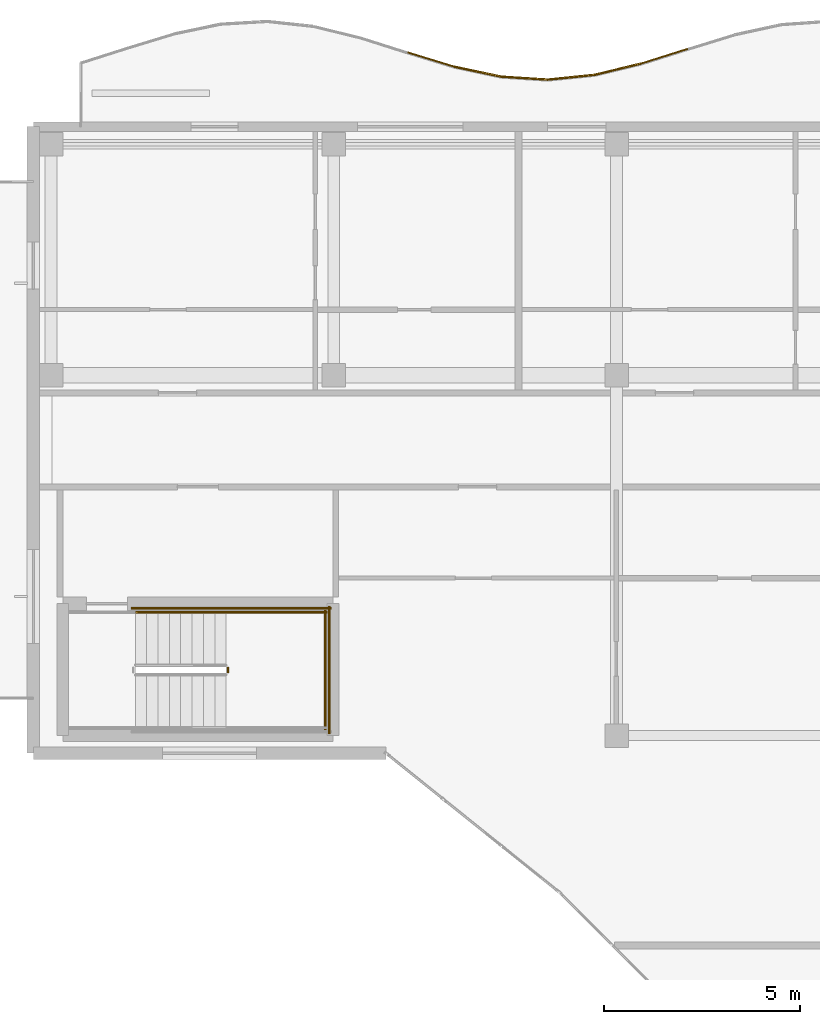
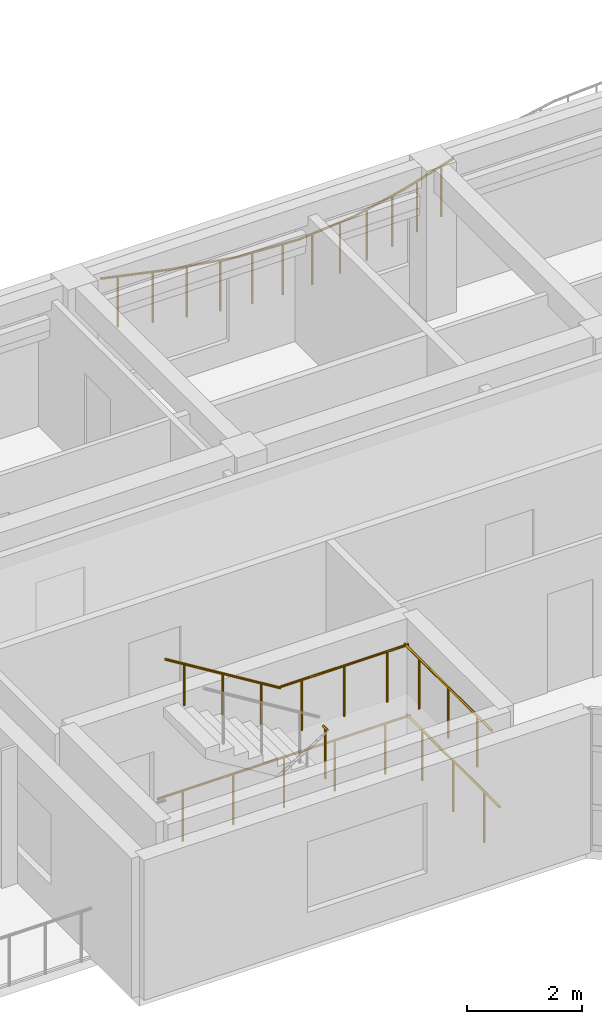
# One storey, part 69 of 71: 12 railings.
"""IFC4 building model written with IfcOpenShell, lengths in metres."""

from ifc_helpers import new_model, si_unit, direction, frame, origin, origin_2d, place, context, subcontext, project, spatial, circle, extrude, material, type_object, element, save


model = new_model("IFC4")

# Units and contexts
model_context = context("Model", 3, precision=1e-05, world=origin(), true_north=direction((0.0, 1.0)))
body_context = subcontext(model_context, "Body", "Model", "MODEL_VIEW")
ifc_project = project(units=[si_unit("LENGTHUNIT", "METRE"), si_unit("AREAUNIT", "SQUARE_METRE"), si_unit("VOLUMEUNIT", "CUBIC_METRE"), si_unit("PLANEANGLEUNIT", "RADIAN"), si_unit("MASSUNIT", "GRAM", prefix="KILO")], contexts=[model_context])

# Site, building, storey
site_placement = place(None, origin())
site = spatial("IfcSite", under=ifc_project, at=site_placement, CompositionType="ELEMENT")
building_placement = place(site_placement, origin())
building = spatial("IfcBuilding", under=site, at=building_placement, Name="Keldmere Railside Commons", CompositionType="ELEMENT")
storey_placement = place(building_placement, frame((0.0, 0.0, 20.159912109375)))
storey = spatial("IfcBuildingStorey", under=building, at=storey_placement, Name="L06", CompositionType="ELEMENT", Elevation=20.159912109375)

# Railings
ifc_material = material(Name="Steel F-24 (S235)", Category="steel")
railing_type_1 = type_object("IfcRailingType", Name="Balcony & Terrace Steel Balustrade 1100", PredefinedType="BALUSTRADE", material=ifc_material)
railing_1_placement = place(storey_placement, frame((156.5517578125, 117.89794921875, 0.0)))
element("IfcRailing", 1, at=railing_1_placement, inside=storey, type_object=railing_type_1, Name="GR-1 GRD-L06-3829", PredefinedType="BALUSTRADE", context=body_context, shape_type="SweptSolid", body=[
    extrude(circle(Radius=0.02392578125, at=origin_2d()), frame((0.0, 0.0, 1.076171875), z_axis=(0.956201073144, -0.292710621122, 0.0), x_axis=(0.292710621122, 0.956201073144, 0.0)), (0.0, 0.0, 1.0), 1.247802734375),
    extrude(circle(Radius=0.02099609375, at=origin_2d()), frame((0.29833984375, -0.09130859375, 0.0)), (0.0, 0.0, 1.0), 1.048095703125),
    extrude(circle(Radius=0.02099609375, at=origin_2d()), frame((0.894775390625, -0.27392578125, 0.0)), (0.0, 0.0, 1.0), 1.048095703125),
])
railing_2_placement = place(storey_placement, frame((157.744873046875, 117.53271484375, 0.0)))
element("IfcRailing", 2, at=railing_2_placement, inside=storey, type_object=railing_type_1, Name="GR-1 GRD-L06-3830", PredefinedType="BALUSTRADE", context=body_context, shape_type="SweptSolid", body=[
    extrude(circle(Radius=0.02392578125, at=origin_2d()), frame((0.0, 0.0, 1.076171875), z_axis=(0.977974866107, -0.208722689861, 0.0), x_axis=(0.208722689861, 0.977974866107, 0.0)), (0.0, 0.0, 1.0), 1.219970703125),
    extrude(circle(Radius=0.02099609375, at=origin_2d()), frame((0.29833984375, -0.063720703125, 0.0)), (0.0, 0.0, 1.0), 1.048095703125),
    extrude(circle(Radius=0.02099609375, at=origin_2d()), frame((0.894775390625, -0.19091796875, 0.0)), (0.0, 0.0, 1.0), 1.048095703125),
])
railing_3_placement = place(storey_placement, frame((158.93798828125, 117.278076171875, 0.0)))
element("IfcRailing", 3, at=railing_3_placement, inside=storey, type_object=railing_type_1, Name="GR-1 GRD-L06-3831", PredefinedType="BALUSTRADE", context=body_context, shape_type="SweptSolid", body=[
    extrude(circle(Radius=0.02392578125, at=origin_2d()), frame((0.0, 0.0, 1.076171875), z_axis=(0.997942203253, -0.064119879644, 0.0), x_axis=(0.064119879644, 0.997942203253, 0.0)), (0.0, 0.0, 1.0), 1.195556640625),
    extrude(circle(Radius=0.02099609375, at=origin_2d()), frame((0.29833984375, -0.01904296875, 0.0)), (0.0, 0.0, 1.0), 1.048095703125),
    extrude(circle(Radius=0.02099609375, at=origin_2d()), frame((0.894775390625, -0.0576171875, 0.0)), (0.0, 0.0, 1.0), 1.048095703125),
])
railing_4_placement = place(storey_placement, frame((160.131103515625, 117.201416015625, 0.0)))
element("IfcRailing", 4, at=railing_4_placement, inside=storey, type_object=railing_type_1, Name="GR-1 GRD-L06-3832", PredefinedType="BALUSTRADE", context=body_context, shape_type="SweptSolid", body=[
    extrude(circle(Radius=0.02392578125, at=origin_2d()), frame((0.0, 0.0, 1.076171875), z_axis=(0.994847978743, 0.101378001517, 0.0), x_axis=(-0.101378001517, 0.994847978743, 0.0)), (0.0, 0.0, 1.0), 1.19921875),
    extrude(circle(Radius=0.02099609375, at=origin_2d()), frame((0.29833984375, 0.0302734375, 0.0)), (0.0, 0.0, 1.0), 1.048095703125),
    extrude(circle(Radius=0.02099609375, at=origin_2d()), frame((0.894775390625, 0.09130859375, 0.0)), (0.0, 0.0, 1.0), 1.048095703125),
])
railing_5_placement = place(storey_placement, frame((161.32421875, 117.322998046875, 0.0)))
element("IfcRailing", 5, at=railing_5_placement, inside=storey, type_object=railing_type_1, Name="GR-1 GRD-L06-3833", PredefinedType="BALUSTRADE", context=body_context, shape_type="SweptSolid", body=[
    extrude(circle(Radius=0.02392578125, at=origin_2d()), frame((0.0, 0.0, 1.076171875), z_axis=(0.972099419012, 0.234569221247, 0.0), x_axis=(-0.234569221247, 0.972099419012, 0.0)), (0.0, 0.0, 1.0), 1.22705078125),
    extrude(circle(Radius=0.02099609375, at=origin_2d()), frame((0.29833984375, 0.072021484375, 0.0)), (0.0, 0.0, 1.0), 1.048095703125),
    extrude(circle(Radius=0.02099609375, at=origin_2d()), frame((0.89453125, 0.2158203125, 0.0)), (0.0, 0.0, 1.0), 1.048095703125),
])
railing_6_placement = place(storey_placement, frame((162.51708984375, 117.61083984375, 0.0)))
element("IfcRailing", 6, at=railing_6_placement, inside=storey, type_object=railing_type_1, Name="GR-1 GRD-L06-3834", PredefinedType="BALUSTRADE", context=body_context, shape_type="SweptSolid", body=[
    extrude(circle(Radius=0.02392578125, at=origin_2d()), frame((0.0, 0.0, 1.076171875), z_axis=(0.953429217506, 0.301616854975, 0.0), x_axis=(-0.301616854975, 0.953429217506, 0.0)), (0.0, 0.0, 1.0), 1.25146484375),
    extrude(circle(Radius=0.02099609375, at=origin_2d()), frame((0.29833984375, 0.09423828125, 0.0)), (0.0, 0.0, 1.0), 1.048095703125),
    extrude(circle(Radius=0.02099609375, at=origin_2d()), frame((0.894775390625, 0.283203125, 0.0)), (0.0, 0.0, 1.0), 1.048095703125),
])
railing_type_2 = type_object("IfcRailingType", Name="Stair Well Steel Guardrail 1100", PredefinedType="BALUSTRADE", material=ifc_material)
railing_7_placement = place(storey_placement, frame((151.969970703125, 102.050048828125, 1.60009765625)))
element("IfcRailing", 7, at=railing_7_placement, inside=storey, type_object=railing_type_2, Name="L06 ST-A2 stair guard 2", PredefinedType="BALUSTRADE", context=body_context, shape_type="SweptSolid", body=[
    extrude(circle(Radius=0.02392578125, at=origin_2d()), frame((0.0, 0.0, 1.076171875), z_axis=(0.0, 1.0, 0.0), x_axis=(-1.0, 0.0, 0.0)), (0.0, 0.0, 1.0), 0.14990234375),
    extrude(circle(Radius=0.02099609375, at=origin_2d()), frame((0.0, 0.074951171875, 0.0)), (0.0, 0.0, 1.0), 1.048095703125),
])
railing_8_placement = place(storey_placement, frame((151.919921875, 103.60009765625, 1.60009765625)))
element("IfcRailing", 8, at=railing_8_placement, inside=storey, type_object=railing_type_2, Name="L06 ST-A2 stair guard 4", PredefinedType="BALUSTRADE", context=body_context, shape_type="SweptSolid", body=[
    extrude(circle(Radius=0.02392578125, at=origin_2d()), frame((0.0, 0.0, 1.076171875), z_axis=(1.0, 0.0, 0.0), x_axis=(0.0, 1.0, 0.0)), (0.0, 0.0, 1.0), 2.580078125),
    extrude(circle(Radius=0.02099609375, at=origin_2d()), frame((0.429931640625, 0.0, 0.0)), (0.0, 0.0, 1.0), 1.048095703125),
    extrude(circle(Radius=0.02099609375, at=origin_2d()), frame((1.2900390625, 0.0, 0.0)), (0.0, 0.0, 1.0), 1.048095703125),
    extrude(circle(Radius=0.02099609375, at=origin_2d()), frame((2.150146484375, 0.0, 0.0)), (0.0, 0.0, 1.0), 1.048095703125),
])
railing_9_placement = place(storey_placement, frame((154.449951171875, 100.60009765625, 1.60009765625)))
element("IfcRailing", 9, at=railing_9_placement, inside=storey, type_object=railing_type_2, Name="L06 ST-A2 stair guard 5", PredefinedType="BALUSTRADE", context=body_context, shape_type="SweptSolid", body=[
    extrude(circle(Radius=0.02392578125, at=origin_2d()), frame((0.0, 0.0, 1.076171875), z_axis=(0.0, 1.0, 0.0), x_axis=(-1.0, 0.0, 0.0)), (0.0, 0.0, 1.0), 3.0498046875),
    extrude(circle(Radius=0.02099609375, at=origin_2d()), frame((0.0, 0.50830078125, 0.0)), (0.0, 0.0, 1.0), 1.048095703125),
    extrude(circle(Radius=0.02099609375, at=origin_2d()), frame((0.0, 1.52490234375, 0.0)), (0.0, 0.0, 1.0), 1.048095703125),
    extrude(circle(Radius=0.02099609375, at=origin_2d()), frame((0.0, 2.54150390625, 0.0)), (0.0, 0.0, 1.0), 1.048095703125),
])
railing_10_placement = place(storey_placement, frame((149.5, 103.699951171875, 0.0)))
element("IfcRailing", 10, at=railing_10_placement, inside=storey, type_object=railing_type_2, Name="L06 ST-A2 stair guard 11", PredefinedType="BALUSTRADE", context=body_context, shape_type="SweptSolid", body=[
    extrude(circle(Radius=0.02392578125, at=origin_2d()), frame((0.0, 0.0, 1.076171875), z_axis=(1.0, 0.0, 0.0), x_axis=(0.0, 1.0, 0.0)), (0.0, 0.0, 1.0), 5.10009765625),
    extrude(circle(Radius=0.02099609375, at=origin_2d()), frame((0.510009765625, 0.0, 0.0)), (0.0, 0.0, 1.0), 1.048095703125),
    extrude(circle(Radius=0.02099609375, at=origin_2d()), frame((1.530029296875, 0.0, 0.0)), (0.0, 0.0, 1.0), 1.048095703125),
    extrude(circle(Radius=0.02099609375, at=origin_2d()), frame((2.550048828125, 0.0, 0.0)), (0.0, 0.0, 1.0), 1.048095703125),
    extrude(circle(Radius=0.02099609375, at=origin_2d()), frame((3.570068359375, 0.0, 0.0)), (0.0, 0.0, 1.0), 1.048095703125),
    extrude(circle(Radius=0.02099609375, at=origin_2d()), frame((4.590087890625, 0.0, 0.0)), (0.0, 0.0, 1.0), 1.048095703125),
])
railing_11_placement = place(storey_placement, frame((154.550048828125, 100.5, 0.0)))
element("IfcRailing", 11, at=railing_11_placement, inside=storey, type_object=railing_type_2, Name="L06 ST-A2 stair guard 12", PredefinedType="BALUSTRADE", context=body_context, shape_type="SweptSolid", body=[
    extrude(circle(Radius=0.02392578125, at=origin_2d()), frame((0.0, 0.0, 1.076171875), z_axis=(0.0, 1.0, 0.0), x_axis=(-1.0, 0.0, 0.0)), (0.0, 0.0, 1.0), 3.25),
    extrude(circle(Radius=0.02099609375, at=origin_2d()), frame((0.0, 0.541748046875, 0.0)), (0.0, 0.0, 1.0), 1.048095703125),
    extrude(circle(Radius=0.02099609375, at=origin_2d()), frame((0.0, 1.625, 0.0)), (0.0, 0.0, 1.0), 1.048095703125),
    extrude(circle(Radius=0.02099609375, at=origin_2d()), frame((0.0, 2.708251953125, 0.0)), (0.0, 0.0, 1.0), 1.048095703125),
])
railing_type_3 = type_object("IfcRailingType", Name="Wall-Mounted Tubular Steel Handrail 900", PredefinedType="HANDRAIL", material=ifc_material)
railing_12_placement = place(storey_placement, frame((151.919921875, 103.60009765625, 1.77783203125)))
element("IfcRailing", 12, at=railing_12_placement, inside=storey, type_object=railing_type_3, Name="L06 ST-A2 stair handrail 2", PredefinedType="HANDRAIL", context=body_context, shape_type="SweptSolid", body=[
    extrude(circle(Radius=0.02392578125, at=origin_2d()), frame((0.0, 0.0, 0.8759765625), z_axis=(-0.852513557019, 0.0, 0.522705112944), x_axis=(0.0, -1.0, 0.0)), (0.0, 0.0, 1.0), 2.72119140625),
    extrude(circle(Radius=0.02099609375, at=origin_2d()), frame((-0.38671875, 0.0, 0.237060546875)), (0.0, 0.0, 1.0), 0.847900390625),
    extrude(circle(Radius=0.02099609375, at=origin_2d()), frame((-1.159912109375, 0.0, 0.711181640625)), (0.0, 0.0, 1.0), 0.847900390625),
    extrude(circle(Radius=0.02099609375, at=origin_2d()), frame((-1.93310546875, 0.0, 1.185302734375)), (0.0, 0.0, 1.0), 0.847900390625),
])

save(model, "model.ifc")
